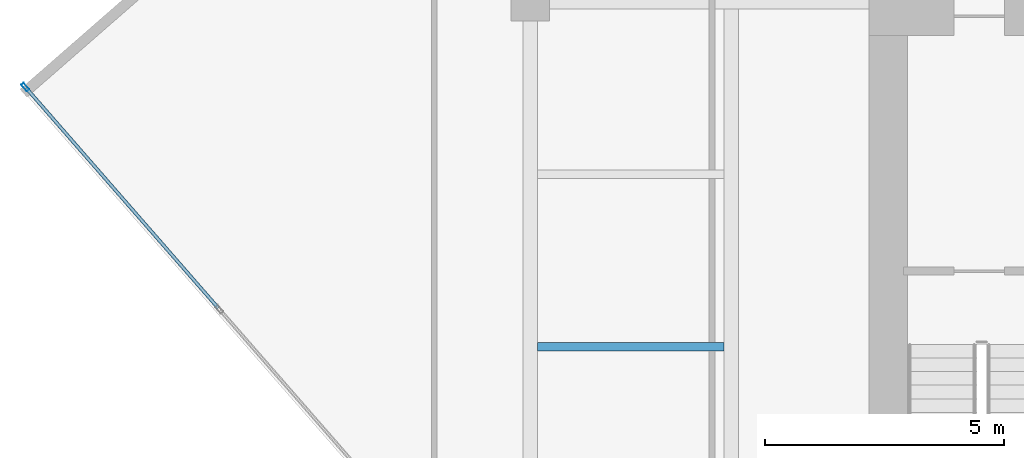
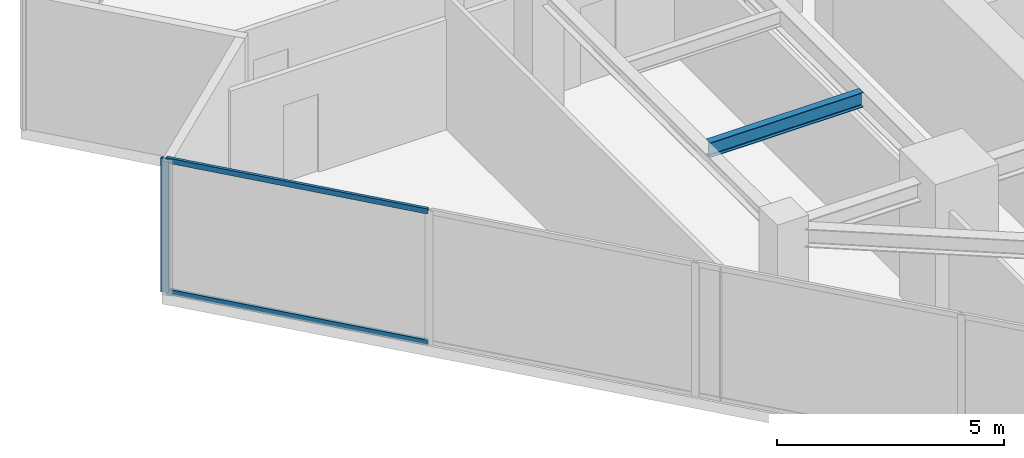
# One storey, part 5 of 24: 3 members, 1 beam, 1 element without a shape of its own.
"""IFC4 building model written with IfcOpenShell, lengths in metres."""

from ifc_helpers import new_model, si_unit, direction, frame, origin, origin_2d, place, context, subcontext, project, spatial, hollow_rectangle, i_section, extrude, source, transform, mapped, material, material_profile, profile_set, type_object, type_shapes, element, aggregate, save


model = new_model("IFC4")

# Units and contexts
model_context = context("Model", 3, precision=1e-05, world=origin(), true_north=direction((0.0, 1.0)))
body_context = subcontext(model_context, "Body", "Model", "MODEL_VIEW")
ifc_project = project(units=[si_unit("LENGTHUNIT", "METRE"), si_unit("AREAUNIT", "SQUARE_METRE"), si_unit("VOLUMEUNIT", "CUBIC_METRE"), si_unit("PLANEANGLEUNIT", "RADIAN"), si_unit("MASSUNIT", "GRAM", prefix="KILO")], contexts=[model_context])

# Site, building, storey
site_placement = place(None, origin())
site = spatial("IfcSite", under=ifc_project, at=site_placement, CompositionType="ELEMENT")
building_placement = place(site_placement, origin())
building = spatial("IfcBuilding", under=site, at=building_placement, Name="Krantzveldt Concourse Tower", CompositionType="ELEMENT")
storey_placement = place(building_placement, frame((0.0, 0.0, 258.64990234375)))
storey = spatial("IfcBuildingStorey", under=building, at=storey_placement, Name="L63", CompositionType="ELEMENT", Elevation=258.64990234375)

# Beam
ifc_material_1 = material(Name="Steel S355JR", Category="steel")
ifc_material_profile_1 = material_profile(ifc_material_1, i_section(OverallWidth=0.179931640625, OverallDepth=0.39990234375, WebThickness=0.008544921875, FlangeThickness=0.013427734375, FilletRadius=0.02099609375, at=origin_2d()), Name="Steel S355JR", Category="steel")
ifc_profile_set_1 = profile_set([ifc_material_profile_1], Name="Steel S355JR - IPE 400")
beam_type = type_object("IfcBeamType", Name="BM-J-IPE400", PredefinedType="JOIST", material=ifc_profile_set_1)
shared_shape_1 = source(origin(), body_context, "Body", "SweptSolid", [
    extrude(i_section(OverallWidth=0.179931640625, OverallDepth=0.39990234375, WebThickness=0.008544921875, FlangeThickness=0.013427734375, FilletRadius=0.02099609375, at=origin_2d()), origin(), (0.0, 0.0, 1.0), 3.900146484375),
])
type_shapes(beam_type, [shared_shape_1])
beam_placement = place(storey_placement, frame((21.14990234375, 19.5, 3.400146484375), z_axis=(1.0, 0.0, 0.0), x_axis=(0.0, 1.0, 0.0)))
element("IfcBeam", 1, at=beam_placement, inside=storey, type_object=beam_type, Name="L63 Secondary Floor Joist JW-1", PredefinedType="JOIST", context=body_context, shape_type="MappedRepresentation", body=[
    mapped(shared_shape_1, transform((0.0, 0.0, 0.0), x_axis=(1.0, 0.0, 0.0), y_axis=(0.0, 1.0, 0.0), z_axis=(0.0, 0.0, 1.0), scale=1.0)),
])

# Curtain wall, members
ifc_material_2 = material(Name="Anodised aluminium 6063-T6", Category="aluminium")
curtain_wall_type = type_object("IfcCurtainWallType", Name="CW3", PredefinedType="USERDEFINED", material=ifc_material_2)
curtain_wall_placement = place(storey_placement, origin())
curtain_wall = element("IfcCurtainWall", 2, at=curtain_wall_placement, inside=storey, type_object=curtain_wall_type, Name="CW-L63-F04", ObjectType="UNITISED CURTAIN WALL", PredefinedType="USERDEFINED")
ifc_material_profile_2 = material_profile(ifc_material_2, hollow_rectangle(XDim=0.070068359375, YDim=0.179931640625, WallThickness=0.0048828125, at=origin_2d()), Name="Anodised aluminium 6063-T6", Category="aluminium")
ifc_profile_set_2 = profile_set([ifc_material_profile_2], Name="Anodised aluminium 6063-T6 - ALU-MULL 180x70x5")
member_type_1 = type_object("IfcMemberType", Name="CW-MUL-180", PredefinedType="MULLION", material=ifc_profile_set_2)
shared_shape_2 = source(origin(), body_context, "Body", "SweptSolid", [
    extrude(hollow_rectangle(XDim=0.070068359375, YDim=0.179931640625, WallThickness=0.0048828125, at=origin_2d()), origin(), (0.0, 0.0, 1.0), 3.60009765625),
])
type_shapes(member_type_1, [shared_shape_2])
member_1_placement = place(storey_placement, frame((10.454345703125, 24.92578125, 0.0), z_axis=(0.0, 0.0, 1.0), x_axis=(0.753276529034, 0.657703938567, 0.0)))
member_1 = element("IfcMember", 3, at=member_1_placement, type_object=member_type_1, Name="CW-Z34 mullion 1", PredefinedType="MULLION", context=body_context, shape_type="MappedRepresentation", body=[
    mapped(shared_shape_2, transform((0.0, 0.0, 0.0), x_axis=(1.0, 0.0, 0.0), y_axis=(0.0, 1.0, 0.0), z_axis=(0.0, 0.0, 1.0), scale=1.0)),
])
ifc_material_profile_3 = material_profile(ifc_material_2, hollow_rectangle(XDim=0.070068359375, YDim=0.139892578125, WallThickness=0.0048828125, at=origin_2d()), Name="Anodised aluminium 6063-T6", Category="aluminium")
ifc_profile_set_3 = profile_set([ifc_material_profile_3], Name="Anodised aluminium 6063-T6 - ALU-TRAN 140x70x5")
member_type_2 = type_object("IfcMemberType", Name="CW-TRN-150", PredefinedType="USERDEFINED", material=ifc_profile_set_3)
shared_shape_3 = source(origin(), body_context, "Body", "SweptSolid", [
    extrude(hollow_rectangle(XDim=0.070068359375, YDim=0.139892578125, WallThickness=0.0048828125, at=origin_2d()), origin(), (0.0, 0.0, 1.0), 6.094970703125),
])
type_shapes(member_type_2, [shared_shape_3])
member_2_placement = place(storey_placement, frame((10.477294921875, 24.8994140625, 0.03515625), z_axis=(0.657681823072, -0.753295838035, 0.0), x_axis=(0.753295838035, 0.657681823072, 0.0)))
member_2 = element("IfcMember", 4, at=member_2_placement, type_object=member_type_2, Name="CW-Z34 transom 1.1", ObjectType="TRANSOM", PredefinedType="USERDEFINED", context=body_context, shape_type="MappedRepresentation", body=[
    mapped(shared_shape_3, transform((0.0, 0.0, 0.0), x_axis=(1.0, 0.0, 0.0), y_axis=(0.0, 1.0, 0.0), z_axis=(0.0, 0.0, 1.0), scale=1.0)),
])
member_3_placement = place(storey_placement, frame((10.477294921875, 24.8994140625, 3.565185546875), z_axis=(0.657681823072, -0.753295838035, 0.0), x_axis=(0.753295838035, 0.657681823072, 0.0)))
member_3 = element("IfcMember", 5, at=member_3_placement, type_object=member_type_2, Name="CW-Z34 transom 1.2", ObjectType="TRANSOM", PredefinedType="USERDEFINED", context=body_context, shape_type="MappedRepresentation", body=[
    mapped(shared_shape_3, transform((0.0, 0.0, 0.0), x_axis=(1.0, 0.0, 0.0), y_axis=(0.0, 1.0, 0.0), z_axis=(0.0, 0.0, 1.0), scale=1.0)),
])
aggregate(curtain_wall, [member_1, member_2, member_3])

save(model, "model.ifc")
